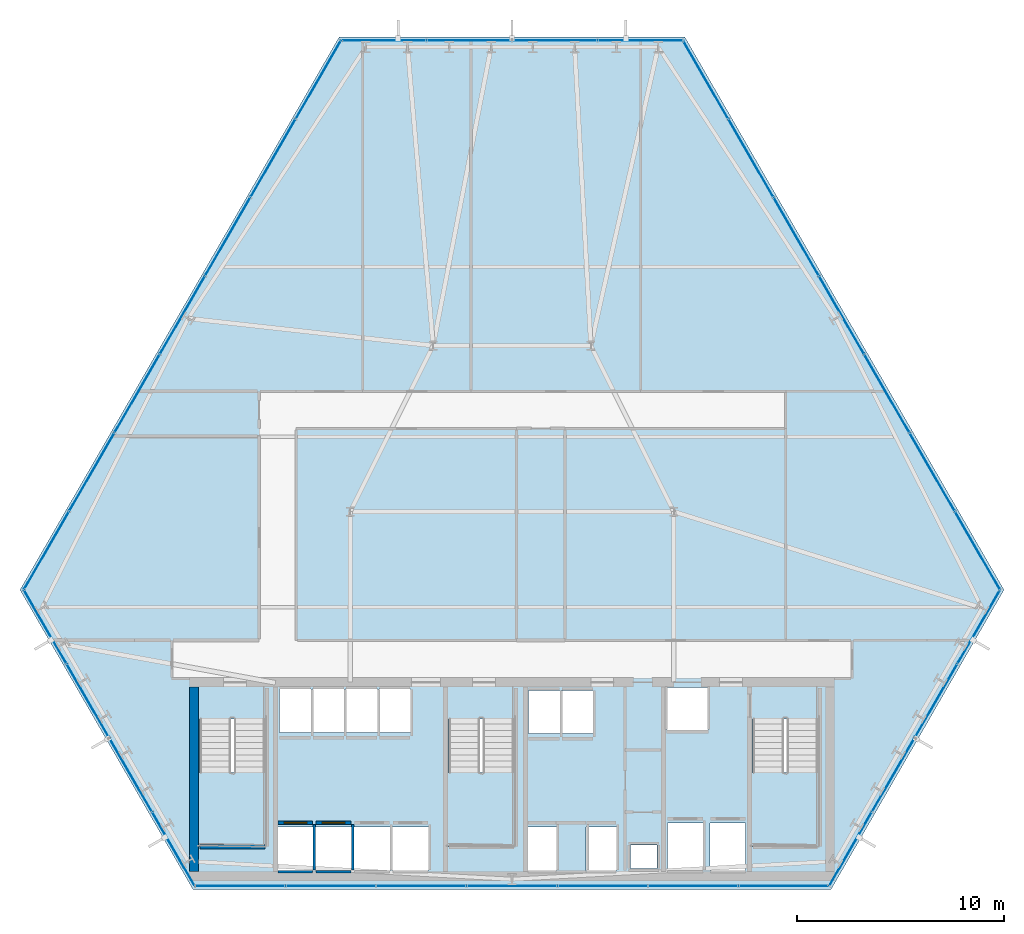
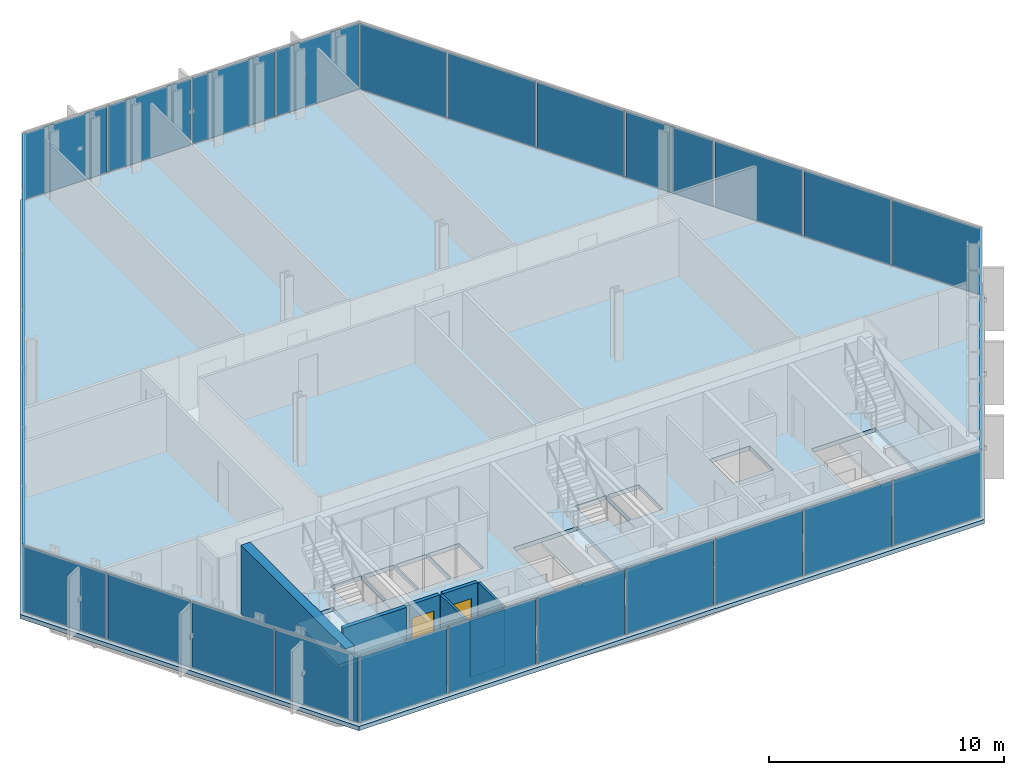
# One storey, part 26 of 33: 33 plates, 8 walls, 4 slabs, 2 doors, 2 openings, 9 elements without a shape of their own.
"""IFC4 building model written with IfcOpenShell, lengths in metres."""

import ifcopenshell
import ifcopenshell.guid

model = None  # the IFC model being written
_history = None  # IfcOwnerHistory: only IFC2X3 demands one
_inside = {}  # id of a spatial element -> (the spatial element, [elements in it])
_under = {}  # id of a project, library or spatial element -> (it, [spatial elements below it])
_declared = {}  # id of a project -> (the project, [libraries it declares])
_typed = {}  # id of a type object -> (the type object, [elements of that type])
_made_of = {}  # id of a material, layer set ... -> (it, [elements and type objects made of it])


def new_model(schema):
    """Start an empty IFC model of exactly this schema.

    Asked for "IFC4X3", IfcOpenShell would pick the latest addendum, in which some entities
    have other attributes; the version numbers below select the first issue.
    IFC2X3 requires an IfcOwnerHistory on every rooted entity: one is made here for all.
    """
    global model, _history
    if schema == "IFC4X3":
        model = ifcopenshell.file(schema_version=(4, 3, 0, 0))
    else:
        model = ifcopenshell.file(schema=schema)
    _inside.clear()
    _under.clear()
    _declared.clear()
    _typed.clear()
    _made_of.clear()
    _history = None
    if model.schema == "IFC2X3":
        org = make("IfcOrganization", Name="unknown")
        user = make(
            "IfcPersonAndOrganization",
            ThePerson=make("IfcPerson", FamilyName="unknown"),
            TheOrganization=org,
        )
        app = make(
            "IfcApplication",
            ApplicationDeveloper=org,
            Version="unknown",
            ApplicationFullName="unknown",
            ApplicationIdentifier="unknown",
        )
        _history = make(
            "IfcOwnerHistory",
            OwningUser=user,
            OwningApplication=app,
            ChangeAction="ADDED",
            CreationDate=0,
        )
    return model


def make(cls, **values):
    """One entity of the class cls with the attributes given. An attribute that is None is left unset."""
    return model.create_entity(
        cls, **{name: value for name, value in values.items() if value is not None}
    )


def rooted(cls, **values):
    """An entity with a GlobalId (a new one), such as an element, a storey or a relation."""
    return make(cls, GlobalId=ifcopenshell.guid.new(), OwnerHistory=_history, **values)


def si_unit(unit_type, name, prefix=None):
    """IfcSIUnit, for example si_unit("LENGTHUNIT", "METRE", prefix="MILLI")."""
    return make("IfcSIUnit", UnitType=unit_type, Prefix=prefix, Name=name)


def assignment(units):
    """IfcUnitAssignment: the units of a project."""
    return None if units is None else make("IfcUnitAssignment", Units=units)


def point(xyz):
    """IfcCartesianPoint."""
    return None if xyz is None else make("IfcCartesianPoint", Coordinates=xyz)


def direction(xyz):
    """IfcDirection."""
    return None if xyz is None else make("IfcDirection", DirectionRatios=xyz)


def frame(location, z_axis=None, x_axis=None):
    """IfcAxis2Placement3D, a coordinate frame: its origin and axes. An axis left out is left unset."""
    return make(
        "IfcAxis2Placement3D",
        Location=point(location),
        Axis=direction(z_axis),
        RefDirection=direction(x_axis),
    )


def frame_2d(location, x_axis=None):
    """IfcAxis2Placement2D, a coordinate frame in the plane: its origin and x axis."""
    return make(
        "IfcAxis2Placement2D", Location=point(location), RefDirection=direction(x_axis)
    )


def origin():
    """The frame at (0, 0, 0) with its axes left unset."""
    return frame((0.0, 0.0, 0.0))


def origin_2d():
    """The frame at (0, 0) in the plane with its x axis left unset."""
    return frame_2d((0.0, 0.0))


def place(relative_to, where):
    """IfcLocalPlacement: puts the frame where relative to a parent placement (None: the world)."""
    return make(
        "IfcLocalPlacement", PlacementRelTo=relative_to, RelativePlacement=where
    )


def context(
    kind, dimensions, precision=None, world=None, true_north=None, identifier=None
):
    """IfcGeometricRepresentationContext, for example the 3D "Model" context."""
    return make(
        "IfcGeometricRepresentationContext",
        ContextIdentifier=identifier,
        ContextType=kind,
        CoordinateSpaceDimension=dimensions,
        Precision=precision,
        WorldCoordinateSystem=world,
        TrueNorth=true_north,
    )


def subcontext(parent, identifier, kind, view, scale=None):
    """IfcGeometricRepresentationSubContext, for example "Body" below "Model"."""
    return make(
        "IfcGeometricRepresentationSubContext",
        ContextIdentifier=identifier,
        ContextType=kind,
        ParentContext=parent,
        TargetScale=scale,
        TargetView=view,
    )


def project(units=None, contexts=None):
    """IfcProject with its units and contexts."""
    return rooted(
        "IfcProject",
        Name="project",
        RepresentationContexts=contexts,
        UnitsInContext=assignment(units),
    )


def spatial(cls, under=None, at=None, **own):
    """A site, building, storey or space (cls), placed at a placement, below another one or the project."""
    s = rooted(cls, ObjectPlacement=at, **own)
    if under is not None:
        _under.setdefault(under.id(), (under, []))[1].append(s)
    return s


def polyline(points):
    """IfcPolyline through the points."""
    return make("IfcPolyline", Points=[point(p) for p in points])


def profile(cls, at=None, kind="AREA", **sizes):
    """A parametric profile (cls). Its sizes go by their IFC names, for example OverallWidth=200.0."""
    return make(cls, ProfileType=kind, Position=at, **sizes)


def rectangle(**sizes):
    """IfcRectangleProfileDef."""
    return profile("IfcRectangleProfileDef", **sizes)


def outline(outer, holes=None, kind="AREA"):
    """IfcArbitraryClosedProfileDef: a profile drawn as a closed curve; with holes, ...WithVoids."""
    if holes is None:
        return make("IfcArbitraryClosedProfileDef", ProfileType=kind, OuterCurve=outer)
    return make(
        "IfcArbitraryProfileDefWithVoids",
        ProfileType=kind,
        OuterCurve=outer,
        InnerCurves=holes,
    )


def extrude(swept, where, along, depth):
    """IfcExtrudedAreaSolid: the profile swept, set in the frame where, extruded along a direction by depth."""
    return make(
        "IfcExtrudedAreaSolid",
        SweptArea=swept,
        Position=where,
        ExtrudedDirection=direction(along),
        Depth=depth,
    )


def shape(context_of_items, identifier, shape_type, items):
    """IfcShapeRepresentation: the items that make up one representation, for example the "Body"."""
    return make(
        "IfcShapeRepresentation",
        ContextOfItems=context_of_items,
        RepresentationIdentifier=identifier,
        RepresentationType=shape_type,
        Items=items,
    )


def material(Name=None, Category=None):
    """IfcMaterial."""
    return make("IfcMaterial", Name=Name, Category=Category)


def layer(
    of_material, thickness, ventilated=None, Name=None, Category=None, Priority=None
):
    """IfcMaterialLayer: one layer of a wall or slab, of a material (None: an air gap)."""
    return make(
        "IfcMaterialLayer",
        Material=of_material,
        LayerThickness=thickness,
        IsVentilated=ventilated,
        Name=Name,
        Category=Category,
        Priority=Priority,
    )


def layer_set(layers, Name=None):
    """IfcMaterialLayerSet."""
    return make("IfcMaterialLayerSet", MaterialLayers=layers, LayerSetName=Name)


def made_of(thing, what):
    """Note that an element or type object is made of a material, layer set ...; save() writes the relation."""
    if what is not None:
        _made_of.setdefault(what.id(), (what, []))[1].append(thing)
    return thing


def type_object(cls, material=None, **own):
    """A type object (cls), such as IfcWallType, which elements share."""
    return made_of(rooted(cls, **own), material)


def element(
    cls,
    number,
    at=None,
    inside=None,
    cuts=None,
    type_object=None,
    material=None,
    context=None,
    identifier="Body",
    shape_type=None,
    held_by="IfcProductDefinitionShape",
    body=None,
    shapes=None,
    **own,
):
    """One element of the class cls, such as IfcWall. Its Tag is "e" and its number.

    at: its placement. inside: the storey or other place that contains it. cuts: it is an
    opening in that element (IfcRelVoidsElement). A single representation is given by context,
    identifier, shape_type and body (its items); several are given by shapes. held_by: the class
    of the entity that holds the representations. save() writes the other relations.
    """
    e = rooted(cls, Tag="e%d" % number, ObjectPlacement=at, **own)
    if body is not None:
        shapes = [shape(context, identifier, shape_type, body)]
    if shapes is not None:
        e.Representation = make(held_by, Representations=shapes)
    if inside is not None:
        _inside.setdefault(inside.id(), (inside, []))[1].append(e)
    if cuts is not None:
        rooted(
            "IfcRelVoidsElement", RelatingBuildingElement=cuts, RelatedOpeningElement=e
        )
    if type_object is not None:
        _typed.setdefault(type_object.id(), (type_object, []))[1].append(e)
    return made_of(e, material)


def fill(opening, filler):
    """IfcRelFillsElement: the door or window that sits in an opening."""
    return rooted(
        "IfcRelFillsElement",
        RelatingOpeningElement=opening,
        RelatedBuildingElement=filler,
    )


def aggregate(whole, parts):
    """IfcRelAggregates: a whole, such as a stair, and the parts it consists of."""
    return rooted("IfcRelAggregates", RelatingObject=whole, RelatedObjects=parts)


def save(model, path):
    """Write the relations noted so far, then the file.

    IfcRelAggregates (storeys below a building ...), IfcRelContainedInSpatialStructure (elements
    in a storey), IfcRelDefinesByType, IfcRelAssociatesMaterial and IfcRelDeclares: one each for
    every whole, place, type object, material and project.
    """
    for whole, parts in _under.values():
        aggregate(whole, parts)
    for where, things in _inside.values():
        rooted(
            "IfcRelContainedInSpatialStructure",
            RelatedElements=things,
            RelatingStructure=where,
        )
    for kind, things in _typed.values():
        rooted("IfcRelDefinesByType", RelatedObjects=things, RelatingType=kind)
    for what, things in _made_of.values():
        rooted("IfcRelAssociatesMaterial", RelatedObjects=things, RelatingMaterial=what)
    for by, libraries in _declared.values():
        rooted("IfcRelDeclares", RelatingContext=by, RelatedDefinitions=libraries)
    model.write(path)


model = new_model("IFC4")

# Units and contexts
model_context = context("Model", 3, precision=1e-05, world=origin(), true_north=direction((0.0, 1.0)))
body_context = subcontext(model_context, "Body", "Model", "MODEL_VIEW")
ifc_project = project(units=[si_unit("LENGTHUNIT", "METRE"), si_unit("AREAUNIT", "SQUARE_METRE"), si_unit("VOLUMEUNIT", "CUBIC_METRE"), si_unit("PLANEANGLEUNIT", "RADIAN"), si_unit("MASSUNIT", "GRAM", prefix="KILO")], contexts=[model_context])

# Site, building, storey
site_placement = place(None, origin())
site = spatial("IfcSite", under=ifc_project, at=site_placement, CompositionType="ELEMENT")
building_placement = place(site_placement, origin())
building = spatial("IfcBuilding", under=site, at=building_placement, Name="Ndaravel Arena Tower", CompositionType="ELEMENT")
storey_placement = place(building_placement, frame((0.0, 0.0, 39.800048828125)))
storey = spatial("IfcBuildingStorey", under=building, at=storey_placement, Name="L07", CompositionType="ELEMENT", Elevation=39.800048828125)

# Curtain wall, plate
ifc_material_1 = material(Name="Aluminium", Category="aluminium")
ifc_layer_1 = layer(ifc_material_1, 0.179931640625)
ifc_layer_set_1 = layer_set([ifc_layer_1], Name="Aluminium")
curtain_wall_type_1 = type_object("IfcCurtainWallType", Name="CW-SYS-01", PredefinedType="NOTDEFINED", material=ifc_layer_set_1)
curtain_wall_1_placement = place(storey_placement, origin())
curtain_wall_1 = element("IfcCurtainWall", 1, at=curtain_wall_1_placement, inside=storey, type_object=curtain_wall_type_1, Name="L07 Faceted Crystal Curtain Wall CW-L07-E02", PredefinedType="NOTDEFINED")
ifc_material_2 = material(Name="Glazing", Category="glass")
ifc_layer_2 = layer(ifc_material_2, 0.035888671875)
ifc_layer_set_2 = layer_set([ifc_layer_2], Name="Glazing")
plate_type_1 = type_object("IfcPlateType", Name="PLT-CW-OPVENT", PredefinedType="CURTAIN_PANEL", material=ifc_layer_set_2)
plate_1_placement = place(storey_placement, frame((60.377685546875, 10.51123046875, 0.06005859375), z_axis=(0.0, 0.0, 1.0), x_axis=(0.5, 0.866025403784, 0.0)))
plate_1 = element("IfcPlate", 2, at=plate_1_placement, type_object=plate_type_1, Name="CW-L07-E02 Operable Vent Sash Panel 02", PredefinedType="CURTAIN_PANEL", context=body_context, shape_type="SweptSolid", body=[
    extrude(rectangle(XDim=4.039306640625, YDim=0.035888671875, at=origin_2d()), origin(), (0.0, 0.0, 1.0), 3.4599609375),
])

curtain_wall_2_placement = place(storey_placement, origin())
curtain_wall_2 = element("IfcCurtainWall", 3, at=curtain_wall_2_placement, inside=storey, type_object=curtain_wall_type_1, Name="L07 Faceted Crystal Curtain Wall CW-L07-E04", PredefinedType="NOTDEFINED")
plate_2_placement = place(storey_placement, frame((44.059814453125, 45.909912109375, 0.06005859375), z_axis=(0.0, 0.0, 1.0), x_axis=(-1.0, 0.0, 0.0)))
plate_2 = element("IfcPlate", 4, at=plate_2_placement, type_object=plate_type_1, Name="CW-L07-E04 Operable Vent Sash Panel 02", PredefinedType="CURTAIN_PANEL", context=body_context, shape_type="SweptSolid", body=[
    extrude(rectangle(XDim=4.039306640625, YDim=0.035888671875, at=origin_2d()), origin(), (0.0, 0.0, 1.0), 3.4599609375),
])

ifc_material_3 = material(Name="Aluminium", Category="aluminium")
ifc_layer_3 = layer(ifc_material_3, 0.179931640625)
ifc_layer_set_3 = layer_set([ifc_layer_3], Name="Aluminium")
curtain_wall_type_2 = type_object("IfcCurtainWallType", Name="CW-SYS-02", PredefinedType="NOTDEFINED", material=ifc_layer_set_3)
curtain_wall_3_placement = place(storey_placement, origin())
curtain_wall_3 = element("IfcCurtainWall", 5, at=curtain_wall_3_placement, inside=storey, type_object=curtain_wall_type_2, Name="L07 Faceted Crystal Curtain Wall CW-L07-E06", PredefinedType="NOTDEFINED")
plate_3_placement = place(storey_placement, frame((21.5625, 14.07861328125, 0.06005859375), z_axis=(0.0, 0.0, 1.0), x_axis=(0.5, -0.866025403784, 0.0)))
plate_3 = element("IfcPlate", 6, at=plate_3_placement, type_object=plate_type_1, Name="CW-L07-E06 Operable Vent Sash Panel 02", PredefinedType="CURTAIN_PANEL", context=body_context, shape_type="SweptSolid", body=[
    extrude(rectangle(XDim=4.039306640625, YDim=0.035888671875, at=origin_2d()), origin(), (0.0, 0.0, 1.0), 3.4599609375),
])

# Plate
ifc_material_4 = material(Name="Glazing", Category="glass")
ifc_layer_4 = layer(ifc_material_4, 0.031982421875)
ifc_layer_set_4 = layer_set([ifc_layer_4], Name="Glazing")
plate_type_2 = type_object("IfcPlateType", Name="PLT-GLZ-FRIT35", PredefinedType="CURTAIN_PANEL", material=ifc_layer_set_4)
plate_4_placement = place(storey_placement, frame((58.318115234375, 6.943603515625, 0.06005859375), z_axis=(0.0, 0.0, 1.0), x_axis=(0.5, 0.866025403784, 0.0)))
plate_4 = element("IfcPlate", 7, at=plate_4_placement, type_object=plate_type_2, Name="CW-L07-E02 Vision Glass Panel 01", PredefinedType="CURTAIN_PANEL", context=body_context, shape_type="SweptSolid", body=[
    extrude(rectangle(XDim=4.039306640625, YDim=0.035888671875, at=origin_2d()), origin(), (0.0, 0.0, 1.0), 3.4599609375),
])

plate_5_placement = place(storey_placement, frame((62.4375, 14.07861328125, 0.06005859375), z_axis=(0.0, 0.0, 1.0), x_axis=(0.5, 0.866025403784, 0.0)))
plate_5 = element("IfcPlate", 8, at=plate_5_placement, type_object=plate_type_2, Name="CW-L07-E02 Vision Glass Panel 03", PredefinedType="CURTAIN_PANEL", context=body_context, shape_type="SweptSolid", body=[
    extrude(rectangle(XDim=4.039306640625, YDim=0.035888671875, at=origin_2d()), origin(), (0.0, 0.0, 1.0), 3.4599609375),
])

plate_6_placement = place(storey_placement, frame((64.497314453125, 17.646240234375, 0.06005859375), z_axis=(0.0, 0.0, 1.0), x_axis=(0.5, 0.866025403784, 0.0)))
plate_6 = element("IfcPlate", 9, at=plate_6_placement, type_object=plate_type_2, Name="CW-L07-E02 Vision Glass Panel 04", PredefinedType="CURTAIN_PANEL", context=body_context, shape_type="SweptSolid", body=[
    extrude(rectangle(XDim=4.039306640625, YDim=0.035888671875, at=origin_2d()), origin(), (0.0, 0.0, 1.0), 3.4599609375),
])

aggregate(curtain_wall_1, [plate_4, plate_1, plate_5, plate_6])

plate_7_placement = place(storey_placement, frame((48.17919921875, 45.909912109375, 0.06005859375), z_axis=(0.0, 0.0, 1.0), x_axis=(-1.0, 0.0, 0.0)))
plate_7 = element("IfcPlate", 10, at=plate_7_placement, type_object=plate_type_2, Name="CW-L07-E04 Vision Glass Panel 01", PredefinedType="CURTAIN_PANEL", context=body_context, shape_type="SweptSolid", body=[
    extrude(rectangle(XDim=4.039306640625, YDim=0.035888671875, at=origin_2d()), origin(), (0.0, 0.0, 1.0), 3.4599609375),
])

plate_8_placement = place(storey_placement, frame((39.940185546875, 45.909912109375, 0.06005859375), z_axis=(0.0, 0.0, 1.0), x_axis=(-1.0, 0.0, 0.0)))
plate_8 = element("IfcPlate", 11, at=plate_8_placement, type_object=plate_type_2, Name="CW-L07-E04 Vision Glass Panel 03", PredefinedType="CURTAIN_PANEL", context=body_context, shape_type="SweptSolid", body=[
    extrude(rectangle(XDim=4.039306640625, YDim=0.035888671875, at=origin_2d()), origin(), (0.0, 0.0, 1.0), 3.4599609375),
])

plate_9_placement = place(storey_placement, frame((35.82080078125, 45.909912109375, 0.06005859375), z_axis=(0.0, 0.0, 1.0), x_axis=(-1.0, 0.0, 0.0)))
plate_9 = element("IfcPlate", 12, at=plate_9_placement, type_object=plate_type_2, Name="CW-L07-E04 Vision Glass Panel 04", PredefinedType="CURTAIN_PANEL", context=body_context, shape_type="SweptSolid", body=[
    extrude(rectangle(XDim=4.039306640625, YDim=0.035888671875, at=origin_2d()), origin(), (0.0, 0.0, 1.0), 3.4599609375),
])

aggregate(curtain_wall_2, [plate_7, plate_2, plate_8, plate_9])

ifc_material_5 = material(Name="Glazing", Category="glass")
ifc_layer_5 = layer(ifc_material_5, 0.035888671875)
ifc_layer_set_5 = layer_set([ifc_layer_5], Name="Glazing")
plate_type_3 = type_object("IfcPlateType", Name="PLT-GLZ-FRIT55", PredefinedType="CURTAIN_PANEL", material=ifc_layer_set_5)
plate_10_placement = place(storey_placement, frame((19.502685546875, 17.646240234375, 0.06005859375), z_axis=(0.0, 0.0, 1.0), x_axis=(0.5, -0.866025403784, 0.0)))
plate_10 = element("IfcPlate", 13, at=plate_10_placement, type_object=plate_type_3, Name="CW-L07-E06 Vision Glass Panel 01", PredefinedType="CURTAIN_PANEL", context=body_context, shape_type="SweptSolid", body=[
    extrude(rectangle(XDim=4.039306640625, YDim=0.035888671875, at=origin_2d()), origin(), (0.0, 0.0, 1.0), 3.4599609375),
])

plate_11_placement = place(storey_placement, frame((23.622314453125, 10.51123046875, 0.06005859375), z_axis=(0.0, 0.0, 1.0), x_axis=(0.5, -0.866025403784, 0.0)))
plate_11 = element("IfcPlate", 14, at=plate_11_placement, type_object=plate_type_3, Name="CW-L07-E06 Vision Glass Panel 03", PredefinedType="CURTAIN_PANEL", context=body_context, shape_type="SweptSolid", body=[
    extrude(rectangle(XDim=4.039306640625, YDim=0.035888671875, at=origin_2d()), origin(), (0.0, 0.0, 1.0), 3.4599609375),
])

plate_12_placement = place(storey_placement, frame((25.681884765625, 6.94384765625, 0.06005859375), z_axis=(0.0, 0.0, 1.0), x_axis=(0.5, -0.866025403784, 0.0)))
plate_12 = element("IfcPlate", 15, at=plate_12_placement, type_object=plate_type_3, Name="CW-L07-E06 Vision Glass Panel 04", PredefinedType="CURTAIN_PANEL", context=body_context, shape_type="SweptSolid", body=[
    extrude(rectangle(XDim=4.039306640625, YDim=0.035888671875, at=origin_2d()), origin(), (0.0, 0.0, 1.0), 3.4599609375),
])

aggregate(curtain_wall_3, [plate_10, plate_3, plate_11, plate_12])

# Curtain wall, plates
ifc_material_6 = material(Name="Aluminium", Category="aluminium")
ifc_layer_6 = layer(ifc_material_6, 0.179931640625)
ifc_layer_set_6 = layer_set([ifc_layer_6], Name="Aluminium")
curtain_wall_type_3 = type_object("IfcCurtainWallType", Name="CW-SYS-03", PredefinedType="NOTDEFINED", material=ifc_layer_set_6)
curtain_wall_4_placement = place(storey_placement, origin())
curtain_wall_4 = element("IfcCurtainWall", 16, at=curtain_wall_4_placement, inside=storey, type_object=curtain_wall_type_3, Name="L07 Faceted Crystal Curtain Wall CW-L07-E01", PredefinedType="NOTDEFINED")
ifc_material_7 = material(Name="Glazing", Category="glass")
ifc_layer_7 = layer(ifc_material_7, 0.0400390625)
ifc_layer_set_7 = layer_set([ifc_layer_7], Name="Glazing")
plate_type_4 = type_object("IfcPlateType", Name="PLT-GLZ-LOWIRON", PredefinedType="CURTAIN_PANEL", material=ifc_layer_set_7)
plate_13_placement = place(storey_placement, frame((28.895751953125, 5.159912109375, 0.06005859375), z_axis=(0.0, 0.0, 1.0), x_axis=(1.0, 0.0, 0.0)))
plate_13 = element("IfcPlate", 17, at=plate_13_placement, type_object=plate_type_4, Name="CW-L07-E01 Vision Glass Panel 01", PredefinedType="CURTAIN_PANEL", context=body_context, shape_type="SweptSolid", body=[
    extrude(rectangle(XDim=4.2880859375, YDim=0.035888671875, at=origin_2d()), origin(), (0.0, 0.0, 1.0), 3.4599609375),
])
plate_14_placement = place(storey_placement, frame((33.263916015625, 5.159912109375, 0.06005859375), z_axis=(0.0, 0.0, 1.0), x_axis=(1.0, 0.0, 0.0)))
plate_14 = element("IfcPlate", 18, at=plate_14_placement, type_object=plate_type_4, Name="CW-L07-E01 Vision Glass Panel 02", PredefinedType="CURTAIN_PANEL", context=body_context, shape_type="SweptSolid", body=[
    extrude(rectangle(XDim=4.2880859375, YDim=0.035888671875, at=origin_2d()), origin(), (0.0, 0.0, 1.0), 3.4599609375),
])
plate_15_placement = place(storey_placement, frame((37.6318359375, 5.159912109375, 0.06005859375), z_axis=(0.0, 0.0, 1.0), x_axis=(1.0, 0.0, 0.0)))
plate_15 = element("IfcPlate", 19, at=plate_15_placement, type_object=plate_type_4, Name="CW-L07-E01 Vision Glass Panel 03", PredefinedType="CURTAIN_PANEL", context=body_context, shape_type="SweptSolid", body=[
    extrude(rectangle(XDim=4.2880859375, YDim=0.035888671875, at=origin_2d()), origin(), (0.0, 0.0, 1.0), 3.4599609375),
])
plate_16_placement = place(storey_placement, frame((42.0, 5.159912109375, 0.06005859375), z_axis=(0.0, 0.0, 1.0), x_axis=(1.0, 0.0, 0.0)))
plate_16 = element("IfcPlate", 20, at=plate_16_placement, type_object=plate_type_4, Name="CW-L07-E01 Vision Glass Panel 04", PredefinedType="CURTAIN_PANEL", context=body_context, shape_type="SweptSolid", body=[
    extrude(rectangle(XDim=4.2880859375, YDim=0.035888671875, at=origin_2d()), origin(), (0.0, 0.0, 1.0), 3.4599609375),
])
plate_17_placement = place(storey_placement, frame((46.3681640625, 5.159912109375, 0.06005859375), z_axis=(0.0, 0.0, 1.0), x_axis=(1.0, 0.0, 0.0)))
plate_17 = element("IfcPlate", 21, at=plate_17_placement, type_object=plate_type_4, Name="CW-L07-E01 Vision Glass Panel 05", PredefinedType="CURTAIN_PANEL", context=body_context, shape_type="SweptSolid", body=[
    extrude(rectangle(XDim=4.2880859375, YDim=0.035888671875, at=origin_2d()), origin(), (0.0, 0.0, 1.0), 3.4599609375),
])
plate_18_placement = place(storey_placement, frame((50.736083984375, 5.159912109375, 0.06005859375), z_axis=(0.0, 0.0, 1.0), x_axis=(1.0, 0.0, 0.0)))
plate_18 = element("IfcPlate", 22, at=plate_18_placement, type_object=plate_type_4, Name="CW-L07-E01 Vision Glass Panel 06", PredefinedType="CURTAIN_PANEL", context=body_context, shape_type="SweptSolid", body=[
    extrude(rectangle(XDim=4.2880859375, YDim=0.035888671875, at=origin_2d()), origin(), (0.0, 0.0, 1.0), 3.4599609375),
])
plate_19_placement = place(storey_placement, frame((55.104248046875, 5.159912109375, 0.06005859375), z_axis=(0.0, 0.0, 1.0), x_axis=(1.0, 0.0, 0.0)))
plate_19 = element("IfcPlate", 23, at=plate_19_placement, type_object=plate_type_4, Name="CW-L07-E01 Vision Glass Panel 07", PredefinedType="CURTAIN_PANEL", context=body_context, shape_type="SweptSolid", body=[
    extrude(rectangle(XDim=4.2880859375, YDim=0.035888671875, at=origin_2d()), origin(), (0.0, 0.0, 1.0), 3.4599609375),
])
aggregate(curtain_wall_4, [plate_13, plate_14, plate_15, plate_16, plate_17, plate_18, plate_19])

curtain_wall_5_placement = place(storey_placement, origin())
curtain_wall_5 = element("IfcCurtainWall", 24, at=curtain_wall_5_placement, inside=storey, type_object=curtain_wall_type_3, Name="L07 Faceted Crystal Curtain Wall CW-L07-E03", PredefinedType="NOTDEFINED")
plate_20_placement = place(storey_placement, frame((64.43505859375, 21.3212890625, 0.06005859375), z_axis=(0.0, 0.0, 1.0), x_axis=(-0.5, 0.866025403784, 0.0)))
plate_20 = element("IfcPlate", 25, at=plate_20_placement, type_object=plate_type_4, Name="CW-L07-E03 Vision Glass Panel 01", PredefinedType="CURTAIN_PANEL", context=body_context, shape_type="SweptSolid", body=[
    extrude(rectangle(XDim=4.2880859375, YDim=0.035888671875, at=origin_2d()), origin(), (0.0, 0.0, 1.0), 3.4599609375),
])
plate_21_placement = place(storey_placement, frame((62.2509765625, 25.104248046875, 0.06005859375), z_axis=(0.0, 0.0, 1.0), x_axis=(-0.5, 0.866025403784, 0.0)))
plate_21 = element("IfcPlate", 26, at=plate_21_placement, type_object=plate_type_4, Name="CW-L07-E03 Vision Glass Panel 02", PredefinedType="CURTAIN_PANEL", context=body_context, shape_type="SweptSolid", body=[
    extrude(rectangle(XDim=4.2880859375, YDim=0.035888671875, at=origin_2d()), origin(), (0.0, 0.0, 1.0), 3.4599609375),
])
plate_22_placement = place(storey_placement, frame((60.06689453125, 28.88720703125, 0.06005859375), z_axis=(0.0, 0.0, 1.0), x_axis=(-0.5, 0.866025403784, 0.0)))
plate_22 = element("IfcPlate", 27, at=plate_22_placement, type_object=plate_type_4, Name="CW-L07-E03 Vision Glass Panel 03", PredefinedType="CURTAIN_PANEL", context=body_context, shape_type="SweptSolid", body=[
    extrude(rectangle(XDim=4.2880859375, YDim=0.035888671875, at=origin_2d()), origin(), (0.0, 0.0, 1.0), 3.4599609375),
])
plate_23_placement = place(storey_placement, frame((57.8828125, 32.669921875, 0.06005859375), z_axis=(0.0, 0.0, 1.0), x_axis=(-0.5, 0.866025403784, 0.0)))
plate_23 = element("IfcPlate", 28, at=plate_23_placement, type_object=plate_type_4, Name="CW-L07-E03 Vision Glass Panel 04", PredefinedType="CURTAIN_PANEL", context=body_context, shape_type="SweptSolid", body=[
    extrude(rectangle(XDim=4.2880859375, YDim=0.035888671875, at=origin_2d()), origin(), (0.0, 0.0, 1.0), 3.4599609375),
])
plate_24_placement = place(storey_placement, frame((55.698974609375, 36.452880859375, 0.06005859375), z_axis=(0.0, 0.0, 1.0), x_axis=(-0.5, 0.866025403784, 0.0)))
plate_24 = element("IfcPlate", 29, at=plate_24_placement, type_object=plate_type_4, Name="CW-L07-E03 Vision Glass Panel 05", PredefinedType="CURTAIN_PANEL", context=body_context, shape_type="SweptSolid", body=[
    extrude(rectangle(XDim=4.2880859375, YDim=0.035888671875, at=origin_2d()), origin(), (0.0, 0.0, 1.0), 3.4599609375),
])
plate_25_placement = place(storey_placement, frame((53.514892578125, 40.235595703125, 0.06005859375), z_axis=(0.0, 0.0, 1.0), x_axis=(-0.5, 0.866025403784, 0.0)))
plate_25 = element("IfcPlate", 30, at=plate_25_placement, type_object=plate_type_4, Name="CW-L07-E03 Vision Glass Panel 06", PredefinedType="CURTAIN_PANEL", context=body_context, shape_type="SweptSolid", body=[
    extrude(rectangle(XDim=4.2880859375, YDim=0.035888671875, at=origin_2d()), origin(), (0.0, 0.0, 1.0), 3.4599609375),
])
plate_26_placement = place(storey_placement, frame((51.330810546875, 44.0185546875, 0.06005859375), z_axis=(0.0, 0.0, 1.0), x_axis=(-0.5, 0.866025403784, 0.0)))
plate_26 = element("IfcPlate", 31, at=plate_26_placement, type_object=plate_type_4, Name="CW-L07-E03 Vision Glass Panel 07", PredefinedType="CURTAIN_PANEL", context=body_context, shape_type="SweptSolid", body=[
    extrude(rectangle(XDim=4.2880859375, YDim=0.035888671875, at=origin_2d()), origin(), (0.0, 0.0, 1.0), 3.4599609375),
])
aggregate(curtain_wall_5, [plate_20, plate_21, plate_22, plate_23, plate_24, plate_25, plate_26])

curtain_wall_6_placement = place(storey_placement, origin())
curtain_wall_6 = element("IfcCurtainWall", 32, at=curtain_wall_6_placement, inside=storey, type_object=curtain_wall_type_3, Name="L07 Faceted Crystal Curtain Wall CW-L07-E05", PredefinedType="NOTDEFINED")
plate_27_placement = place(storey_placement, frame((32.669189453125, 44.0185546875, 0.06005859375), z_axis=(0.0, 0.0, 1.0), x_axis=(-0.5, -0.866025403784, 0.0)))
plate_27 = element("IfcPlate", 33, at=plate_27_placement, type_object=plate_type_4, Name="CW-L07-E05 Vision Glass Panel 01", PredefinedType="CURTAIN_PANEL", context=body_context, shape_type="SweptSolid", body=[
    extrude(rectangle(XDim=4.2880859375, YDim=0.035888671875, at=origin_2d()), origin(), (0.0, 0.0, 1.0), 3.4599609375),
])
plate_28_placement = place(storey_placement, frame((30.485107421875, 40.235595703125, 0.06005859375), z_axis=(0.0, 0.0, 1.0), x_axis=(-0.5, -0.866025403784, 0.0)))
plate_28 = element("IfcPlate", 34, at=plate_28_placement, type_object=plate_type_4, Name="CW-L07-E05 Vision Glass Panel 02", PredefinedType="CURTAIN_PANEL", context=body_context, shape_type="SweptSolid", body=[
    extrude(rectangle(XDim=4.2880859375, YDim=0.035888671875, at=origin_2d()), origin(), (0.0, 0.0, 1.0), 3.4599609375),
])
plate_29_placement = place(storey_placement, frame((28.301025390625, 36.452880859375, 0.06005859375), z_axis=(0.0, 0.0, 1.0), x_axis=(-0.5, -0.866025403784, 0.0)))
plate_29 = element("IfcPlate", 35, at=plate_29_placement, type_object=plate_type_4, Name="CW-L07-E05 Vision Glass Panel 03", PredefinedType="CURTAIN_PANEL", context=body_context, shape_type="SweptSolid", body=[
    extrude(rectangle(XDim=4.2880859375, YDim=0.035888671875, at=origin_2d()), origin(), (0.0, 0.0, 1.0), 3.4599609375),
])
plate_30_placement = place(storey_placement, frame((26.1171875, 32.669921875, 0.06005859375), z_axis=(0.0, 0.0, 1.0), x_axis=(-0.5, -0.866025403784, 0.0)))
plate_30 = element("IfcPlate", 36, at=plate_30_placement, type_object=plate_type_4, Name="CW-L07-E05 Vision Glass Panel 04", PredefinedType="CURTAIN_PANEL", context=body_context, shape_type="SweptSolid", body=[
    extrude(rectangle(XDim=4.2880859375, YDim=0.035888671875, at=origin_2d()), origin(), (0.0, 0.0, 1.0), 3.4599609375),
])
plate_31_placement = place(storey_placement, frame((23.93310546875, 28.88720703125, 0.06005859375), z_axis=(0.0, 0.0, 1.0), x_axis=(-0.5, -0.866025403784, 0.0)))
plate_31 = element("IfcPlate", 37, at=plate_31_placement, type_object=plate_type_4, Name="CW-L07-E05 Vision Glass Panel 05", PredefinedType="CURTAIN_PANEL", context=body_context, shape_type="SweptSolid", body=[
    extrude(rectangle(XDim=4.2880859375, YDim=0.035888671875, at=origin_2d()), origin(), (0.0, 0.0, 1.0), 3.4599609375),
])
plate_32_placement = place(storey_placement, frame((21.7490234375, 25.104248046875, 0.06005859375), z_axis=(0.0, 0.0, 1.0), x_axis=(-0.5, -0.866025403784, 0.0)))
plate_32 = element("IfcPlate", 38, at=plate_32_placement, type_object=plate_type_4, Name="CW-L07-E05 Vision Glass Panel 06", PredefinedType="CURTAIN_PANEL", context=body_context, shape_type="SweptSolid", body=[
    extrude(rectangle(XDim=4.2880859375, YDim=0.035888671875, at=origin_2d()), origin(), (0.0, 0.0, 1.0), 3.4599609375),
])
plate_33_placement = place(storey_placement, frame((19.56494140625, 21.3212890625, 0.06005859375), z_axis=(0.0, 0.0, 1.0), x_axis=(-0.5, -0.866025403784, 0.0)))
plate_33 = element("IfcPlate", 39, at=plate_33_placement, type_object=plate_type_4, Name="CW-L07-E05 Vision Glass Panel 07", PredefinedType="CURTAIN_PANEL", context=body_context, shape_type="SweptSolid", body=[
    extrude(rectangle(XDim=4.2880859375, YDim=0.035888671875, at=origin_2d()), origin(), (0.0, 0.0, 1.0), 3.4599609375),
])
aggregate(curtain_wall_6, [plate_27, plate_28, plate_29, plate_30, plate_31, plate_32, plate_33])

# Stair, slab
ifc_material_8 = material(Name="Concrete C40/50", Category="concrete")
stair_type = type_object("IfcStairType", Name="STAIR-CORE-HT", PredefinedType="HALF_TURN_STAIR", material=ifc_material_8)
stair_1_placement = place(storey_placement, origin())
stair_1 = element("IfcStair", 40, at=stair_1_placement, inside=storey, type_object=stair_type, Name="L07 ST-1", PredefinedType="HALF_TURN_STAIR")
ifc_material_9 = material(Name="Concrete C40/50", Category="concrete")
ifc_layer_8 = layer(ifc_material_9, 0.199951171875)
ifc_layer_set_8 = layer_set([ifc_layer_8], Name="Concrete C40/50")
slab_type_1 = type_object("IfcSlabType", Name="SLAB-STAIR-LANDING", PredefinedType="LANDING", material=ifc_layer_set_8)
slab_1_placement = place(storey_placement, frame((0.0, 0.0, 1.699951171875)))
slab_1 = element("IfcSlab", 41, at=slab_1_placement, type_object=slab_type_1, Name="ST-1 landing 1", PredefinedType="LANDING", context=body_context, shape_type="SweptSolid", body=[
    extrude(outline(polyline([(26.81005859375, 10.6298828125), (26.81005859375, 7.070068359375), (30.169921875, 7.070068359375), (30.169921875, 10.6298828125), (26.81005859375, 10.6298828125)])), origin(), (0.0, 0.0, 1.0), 0.199951171875),
])
aggregate(stair_1, [slab_1])

stair_2_placement = place(storey_placement, origin())
stair_2 = element("IfcStair", 42, at=stair_2_placement, inside=storey, type_object=stair_type, Name="L07 ST-2", PredefinedType="HALF_TURN_STAIR")
slab_2_placement = place(storey_placement, frame((0.0, 0.0, 1.699951171875)))
slab_2 = element("IfcSlab", 43, at=slab_2_placement, type_object=slab_type_1, Name="ST-2 landing 1", PredefinedType="LANDING", context=body_context, shape_type="SweptSolid", body=[
    extrude(outline(polyline([(38.81005859375, 10.6298828125), (38.81005859375, 7.070068359375), (42.169921875, 7.070068359375), (42.169921875, 10.6298828125), (38.81005859375, 10.6298828125)])), origin(), (0.0, 0.0, 1.0), 0.199951171875),
])
aggregate(stair_2, [slab_2])

stair_3_placement = place(storey_placement, origin())
stair_3 = element("IfcStair", 44, at=stair_3_placement, inside=storey, type_object=stair_type, Name="L07 ST-3", PredefinedType="HALF_TURN_STAIR")
slab_3_placement = place(storey_placement, frame((0.0, 0.0, 1.699951171875)))
slab_3 = element("IfcSlab", 45, at=slab_3_placement, type_object=slab_type_1, Name="ST-3 landing 1", PredefinedType="LANDING", context=body_context, shape_type="SweptSolid", body=[
    extrude(outline(polyline([(53.4599609375, 10.6298828125), (53.4599609375, 7.070068359375), (56.820068359375, 7.070068359375), (56.820068359375, 10.6298828125), (53.4599609375, 10.6298828125)])), origin(), (0.0, 0.0, 1.0), 0.199951171875),
])
aggregate(stair_3, [slab_3])

# Slab
ifc_material_10 = material(Name="Concrete C40/50", Category="concrete")
ifc_layer_9 = layer(ifc_material_10, 0.219970703125)
ifc_layer_set_9 = layer_set([ifc_layer_9], Name="Concrete C40/50")
slab_type_2 = type_object("IfcSlabType", Name="SLAB-TWR-220", PredefinedType="FLOOR", material=ifc_layer_set_9)
slab_4_placement = place(storey_placement, frame((0.0, 0.0, -0.219970703125)))
element("IfcSlab", 46, at=slab_4_placement, inside=storey, type_object=slab_type_2, Name="L07 Structural Floor Slab", PredefinedType="FLOOR", context=body_context, shape_type="SweptSolid", body=[
    extrude(outline(polyline([(18.2880859375, 19.429931640625), (26.619384765625, 5.0), (57.380615234375, 5.0), (65.7119140625, 19.429931640625), (50.331298828125, 46.070068359375), (33.668701171875, 46.070068359375), (18.2880859375, 19.429931640625)]), holes=[polyline([(26.949951171875, 13.215087890625), (26.949951171875, 7.14990234375), (30.090087890625, 7.14990234375), (30.090087890625, 13.215087890625), (26.949951171875, 13.215087890625)]), polyline([(38.949951171875, 13.215087890625), (38.949951171875, 7.14990234375), (42.090087890625, 7.14990234375), (42.090087890625, 13.215087890625), (38.949951171875, 13.215087890625)]), polyline([(53.60009765625, 13.215087890625), (53.60009765625, 7.14990234375), (56.739990234375, 7.14990234375), (56.739990234375, 13.215087890625), (53.60009765625, 13.215087890625)]), polyline([(30.68505859375, 5.909912109375), (32.4150390625, 5.909912109375), (32.4150390625, 7.989990234375), (30.68505859375, 7.989990234375), (30.68505859375, 5.909912109375)]), polyline([(32.534912109375, 5.909912109375), (34.264892578125, 5.909912109375), (34.264892578125, 7.989990234375), (32.534912109375, 7.989990234375), (32.534912109375, 5.909912109375)]), polyline([(34.385009765625, 5.909912109375), (36.114990234375, 5.909912109375), (36.114990234375, 7.989990234375), (34.385009765625, 7.989990234375), (34.385009765625, 5.909912109375)]), polyline([(36.235107421875, 5.909912109375), (37.965087890625, 5.909912109375), (37.965087890625, 7.989990234375), (36.235107421875, 7.989990234375), (36.235107421875, 5.909912109375)]), polyline([(30.784912109375, 12.56005859375), (32.31494140625, 12.56005859375), (32.31494140625, 14.639892578125), (30.784912109375, 14.639892578125), (30.784912109375, 12.56005859375)]), polyline([(32.385009765625, 12.56005859375), (33.9150390625, 12.56005859375), (33.9150390625, 14.639892578125), (32.385009765625, 14.639892578125), (32.385009765625, 12.56005859375)]), polyline([(33.985107421875, 12.56005859375), (35.514892578125, 12.56005859375), (35.514892578125, 14.639892578125), (33.985107421875, 14.639892578125), (33.985107421875, 12.56005859375)]), polyline([(35.5849609375, 12.56005859375), (37.114990234375, 12.56005859375), (37.114990234375, 14.639892578125), (35.5849609375, 14.639892578125), (35.5849609375, 12.56005859375)]), polyline([(42.659912109375, 5.909912109375), (44.139892578125, 5.909912109375), (44.139892578125, 7.989990234375), (42.659912109375, 7.989990234375), (42.659912109375, 5.909912109375)]), polyline([(45.56005859375, 5.909912109375), (47.0400390625, 5.909912109375), (47.0400390625, 7.989990234375), (45.56005859375, 7.989990234375), (45.56005859375, 5.909912109375)]), polyline([(42.784912109375, 12.510009765625), (44.31494140625, 12.510009765625), (44.31494140625, 14.590087890625), (42.784912109375, 14.590087890625), (42.784912109375, 12.510009765625)]), polyline([(44.385009765625, 12.510009765625), (45.9150390625, 12.510009765625), (45.9150390625, 14.590087890625), (44.385009765625, 14.590087890625), (44.385009765625, 12.510009765625)]), polyline([(49.485107421875, 5.909912109375), (51.215087890625, 5.909912109375), (51.215087890625, 8.18994140625), (49.485107421875, 8.18994140625), (49.485107421875, 5.909912109375)]), polyline([(51.534912109375, 5.909912109375), (53.264892578125, 5.909912109375), (53.264892578125, 8.18994140625), (51.534912109375, 8.18994140625), (51.534912109375, 5.909912109375)]), polyline([(49.4599609375, 12.68505859375), (51.43994140625, 12.68505859375), (51.43994140625, 14.715087890625), (49.4599609375, 14.715087890625), (49.4599609375, 12.68505859375)]), polyline([(47.699951171875, 6.0), (49.0, 6.0), (49.0, 7.139892578125), (47.699951171875, 7.139892578125), (47.699951171875, 6.0)])]), origin(), (0.0, 0.0, 1.0), 0.219970703125),
])

# Walls
ifc_material_11 = material(Name="Concrete C60/75", Category="concrete")
ifc_layer_10 = layer(ifc_material_11, 0.449951171875)
ifc_layer_set_10 = layer_set([ifc_layer_10], Name="Concrete C60/75")
wall_type_1 = type_object("IfcWallType", Name="WALL-CORE-450", PredefinedType="SOLIDWALL", material=ifc_layer_set_10)
wall_1_placement = place(storey_placement, frame((26.675048828125, 5.85009765625, 0.0), z_axis=(0.0, 0.0, 1.0), x_axis=(0.0, 1.0, 0.0)))
element("IfcWall", 47, at=wall_1_placement, inside=storey, type_object=wall_type_1, Name="L07 Core West Shear Wall", PredefinedType="SOLIDWALL", context=body_context, shape_type="SweptSolid", body=[
    extrude(rectangle(XDim=8.89990234375, YDim=0.449951171875, at=frame_2d((4.449951171875, 0.0))), origin(), (0.0, 0.0, 1.0), 3.579833984375),
])
ifc_material_12 = material(Name="Concrete C40/50", Category="concrete")
ifc_layer_11 = layer(ifc_material_12, 0.1201171875)
ifc_layer_set_11 = layer_set([ifc_layer_11], Name="Concrete C40/50")
wall_type_2 = type_object("IfcWallType", Name="WALL-SHAFT-120", PredefinedType="SOLIDWALL", material=ifc_layer_set_11)
wall_2_placement = place(storey_placement, frame((30.72998046875, 5.840087890625, 0.0), z_axis=(0.0, 0.0, 1.0), x_axis=(1.0, 0.0, 0.0)))
element("IfcWall", 48, at=wall_2_placement, inside=storey, type_object=wall_type_2, Name="L07 PL-L1 Shaft Rear Wall", PredefinedType="SOLIDWALL", context=body_context, shape_type="SweptSolid", body=[
    extrude(rectangle(XDim=1.6650390625, YDim=0.1201171875, at=frame_2d((0.83251953125, 0.0))), origin(), (0.0, 0.0, 1.0), 2.932861328125),
])
wall_3_placement = place(storey_placement, frame((32.47509765625, 5.929931640625, 0.0), z_axis=(0.0, 0.0, 1.0), x_axis=(0.0, 1.0, 0.0)))
element("IfcWall", 49, at=wall_3_placement, inside=storey, type_object=wall_type_2, Name="L07 PL-L1 Shaft Side R Wall", PredefinedType="SOLIDWALL", context=body_context, shape_type="SweptSolid", body=[
    extrude(rectangle(XDim=2.18017578125, YDim=0.1201171875, at=frame_2d((1.090087890625, 0.0))), origin(), (0.0, 0.0, 1.0), 2.932861328125),
])
wall_4_placement = place(storey_placement, frame((32.554931640625, 5.840087890625, 0.0), z_axis=(0.0, 0.0, 1.0), x_axis=(1.0, 0.0, 0.0)))
element("IfcWall", 50, at=wall_4_placement, inside=storey, type_object=wall_type_2, Name="L07 PL-L2 Shaft Rear Wall", PredefinedType="SOLIDWALL", context=body_context, shape_type="SweptSolid", body=[
    extrude(rectangle(XDim=1.690185546875, YDim=0.1201171875, at=frame_2d((0.84521484375, 0.0))), origin(), (0.0, 0.0, 1.0), 2.932861328125),
])
wall_5_placement = place(storey_placement, frame((34.324951171875, 5.929931640625, 0.0), z_axis=(0.0, 0.0, 1.0), x_axis=(0.0, 1.0, 0.0)))
element("IfcWall", 51, at=wall_5_placement, inside=storey, type_object=wall_type_2, Name="L07 PL-L2 Shaft Side R Wall", PredefinedType="SOLIDWALL", context=body_context, shape_type="SweptSolid", body=[
    extrude(rectangle(XDim=2.18017578125, YDim=0.1201171875, at=frame_2d((1.090087890625, 0.0))), origin(), (0.0, 0.0, 1.0), 2.932861328125),
])
ifc_material_13 = material(Name="Concrete C40/50", Category="concrete")
ifc_layer_12 = layer(ifc_material_13, 0.199951171875)
ifc_layer_set_12 = layer_set([ifc_layer_12], Name="Concrete C40/50")
wall_type_3 = type_object("IfcWallType", Name="WALL-SHAFT-200", PredefinedType="SOLIDWALL", material=ifc_layer_set_12)
wall_6_placement = place(storey_placement, frame((26.969970703125, 7.050048828125, 0.0), z_axis=(0.0, 0.0, 1.0), x_axis=(1.0, 0.0, 0.0)))
element("IfcWall", 52, at=wall_6_placement, inside=storey, type_object=wall_type_3, Name="L07 ST-1 Structural Shaft Wall Far", PredefinedType="SOLIDWALL", context=body_context, shape_type="SweptSolid", body=[
    extrude(rectangle(XDim=3.114990234375, YDim=0.199951171875, at=frame_2d((1.5576171875, 0.0))), origin(), (0.0, 0.0, 1.0), 3.800048828125),
])

# Wall, opening, door
wall_7_placement = place(storey_placement, frame((30.72998046875, 8.199951171875, 0.0), z_axis=(0.0, 0.0, 1.0), x_axis=(1.0, 0.0, 0.0)))
wall_7 = element("IfcWall", 53, at=wall_7_placement, inside=storey, type_object=wall_type_3, Name="L07 PL-L1 Shaft Landing Wall", PredefinedType="SOLIDWALL", context=body_context, shape_type="SweptSolid", body=[
    extrude(rectangle(XDim=1.6650390625, YDim=0.179931640625, at=frame_2d((0.83251953125, 0.0))), origin(), (0.0, 0.0, 1.0), 2.932861328125),
])
opening_1_placement = place(wall_7_placement, frame((0.282470703125, 0.0, 0.0)))
opening_1 = element("IfcOpeningElement", 54, at=opening_1_placement, cuts=wall_7, Name="Opening LD-01", PredefinedType="OPENING", context=body_context, shape_type="SweptSolid", body=[
    extrude(rectangle(XDim=1.10009765625, YDim=2.199951171875, at=frame_2d((0.550048828125, 1.10009765625))), frame((0.0, 0.08984375, 0.0), z_axis=(0.0, -1.0, 0.0), x_axis=(1.0, 0.0, 0.0)), (0.0, 0.0, 1.0), 0.179931640625),
])
ifc_material_14 = material(Name="Steel S355", Category="steel")
door_type = type_object("IfcDoorType", Name="DT-06-LIFT-1100", OperationType="SLIDING_TO_LEFT", PredefinedType="DOOR", material=ifc_material_14)
door_1_placement = place(opening_1_placement, origin())
door_1 = element("IfcDoor", 55, at=door_1_placement, inside=storey, type_object=door_type, Name="L07 Lift PL-L1 Sliding Landing Door", OperationType="SLIDING_TO_LEFT", OverallHeight=2.199951171875, OverallWidth=1.10009765625, PredefinedType="DOOR", context=body_context, shape_type="SweptSolid", body=[
    extrude(rectangle(XDim=1.10009765625, YDim=2.199951171875, at=frame_2d((0.550048828125, 1.10009765625))), frame((0.0, 0.02490234375, 0.0), z_axis=(0.0, -1.0, 0.0), x_axis=(1.0, 0.0, 0.0)), (0.0, 0.0, 1.0), 0.050048828125),
])
fill(opening_1, door_1)

wall_8_placement = place(storey_placement, frame((32.554931640625, 8.199951171875, 0.0), z_axis=(0.0, 0.0, 1.0), x_axis=(1.0, 0.0, 0.0)))
wall_8 = element("IfcWall", 56, at=wall_8_placement, inside=storey, type_object=wall_type_3, Name="L07 PL-L2 Shaft Landing Wall", PredefinedType="SOLIDWALL", context=body_context, shape_type="SweptSolid", body=[
    extrude(rectangle(XDim=1.690185546875, YDim=0.179931640625, at=frame_2d((0.84521484375, 0.0))), origin(), (0.0, 0.0, 1.0), 2.932861328125),
])
opening_2_placement = place(wall_8_placement, frame((0.294921875, 0.0, 0.0)))
opening_2 = element("IfcOpeningElement", 57, at=opening_2_placement, cuts=wall_8, Name="Opening LD-01", PredefinedType="OPENING", context=body_context, shape_type="SweptSolid", body=[
    extrude(rectangle(XDim=1.10009765625, YDim=2.199951171875, at=frame_2d((0.550048828125, 1.10009765625))), frame((0.0, 0.08984375, 0.0), z_axis=(0.0, -1.0, 0.0), x_axis=(1.0, 0.0, 0.0)), (0.0, 0.0, 1.0), 0.179931640625),
])
door_2_placement = place(opening_2_placement, origin())
door_2 = element("IfcDoor", 58, at=door_2_placement, inside=storey, type_object=door_type, Name="L07 Lift PL-L2 Sliding Landing Door", OperationType="SLIDING_TO_LEFT", OverallHeight=2.199951171875, OverallWidth=1.10009765625, PredefinedType="DOOR", context=body_context, shape_type="SweptSolid", body=[
    extrude(rectangle(XDim=1.10009765625, YDim=2.199951171875, at=frame_2d((0.550048828125, 1.10009765625))), frame((0.0, 0.02490234375, 0.0), z_axis=(0.0, -1.0, 0.0), x_axis=(1.0, 0.0, 0.0)), (0.0, 0.0, 1.0), 0.050048828125),
])
fill(opening_2, door_2)

save(model, "model.ifc")
